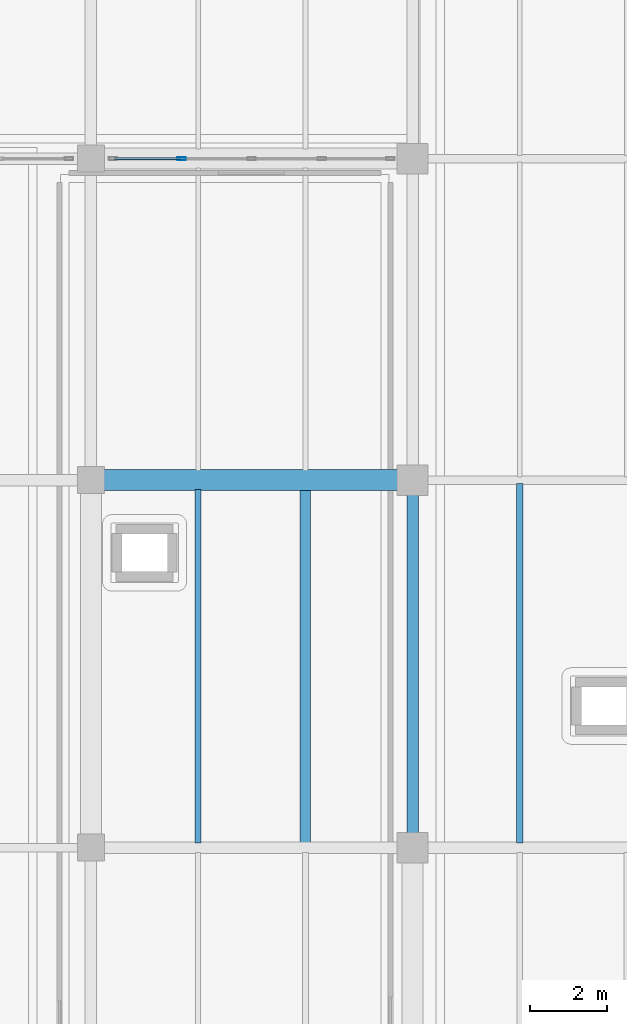
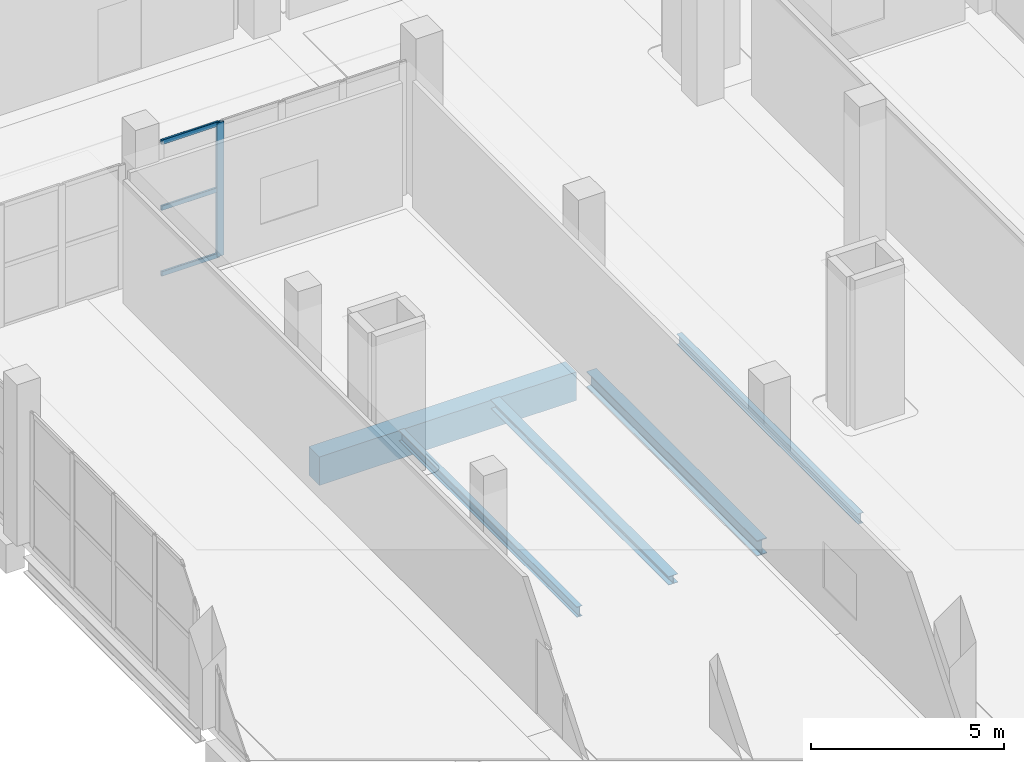
# One storey, part 32 of 73: 5 beams, 4 members, 1 element without a shape of its own.
"""IFC4 building model written with IfcOpenShell, lengths in metres."""

from ifc_helpers import new_model, si_unit, direction, frame, origin, origin_2d, place, context, subcontext, project, spatial, rectangle, hollow_rectangle, i_section, extrude, material, layer, layer_set, material_profile, profile_set, type_object, element, aggregate, save


model = new_model("IFC4")

# Units and contexts
model_context = context("Model", 3, precision=1e-05, world=origin(), true_north=direction((0.0, 1.0)))
body_context = subcontext(model_context, "Body", "Model", "MODEL_VIEW")
ifc_project = project(units=[si_unit("LENGTHUNIT", "METRE"), si_unit("AREAUNIT", "SQUARE_METRE"), si_unit("VOLUMEUNIT", "CUBIC_METRE"), si_unit("PLANEANGLEUNIT", "RADIAN"), si_unit("MASSUNIT", "GRAM", prefix="KILO")], contexts=[model_context])

# Site, building, storey
site_placement = place(None, origin())
site = spatial("IfcSite", under=ifc_project, at=site_placement, CompositionType="ELEMENT")
building_placement = place(site_placement, origin())
building = spatial("IfcBuilding", under=site, at=building_placement, Name="Zulmaris Art Gallery", CompositionType="ELEMENT")
storey_placement = place(building_placement, frame((0.0, 0.0, 10.5)))
storey = spatial("IfcBuildingStorey", under=building, at=storey_placement, Name="L02", CompositionType="ELEMENT", Elevation=10.5)

# Beams
ifc_material_1 = material(Name="Steel S355J2", Category="steel")
ifc_material_profile_1 = material_profile(ifc_material_1, i_section(OverallWidth=0.300048828125, OverallDepth=0.489990234375, WebThickness=0.011962890625, FlangeThickness=0.02294921875, FilletRadius=0.027099609375, at=origin_2d()), Name="HEA 500")
ifc_profile_set_1 = profile_set([ifc_material_profile_1], Name="Steel S355J2")
beam_type_1 = type_object("IfcBeamType", Name="BEAM-BM11", PredefinedType="BEAM", material=ifc_profile_set_1)
beam_1_placement = place(storey_placement, frame((141.60009765625, 41.18505859375, -0.64501953125), z_axis=(0.0, 1.0, 0.0), x_axis=(-1.0, 0.0, 0.0)))
element("IfcBeam", 1, at=beam_1_placement, inside=storey, type_object=beam_type_1, Name="L02 Y-girder (x=141.6, 40.8..50.4)", PredefinedType="BEAM", context=body_context, shape_type="SweptSolid", body=[
    extrude(i_section(OverallWidth=0.300048828125, OverallDepth=0.489990234375, WebThickness=0.011962890625, FlangeThickness=0.02294921875, FilletRadius=0.027099609375, at=origin_2d()), origin(), (0.0, 0.0, 1.0), 8.829833984375),
])
ifc_material_2 = material(Name="Concrete C40/50", Category="concrete")
ifc_material_profile_2 = material_profile(ifc_material_2, rectangle(XDim=0.550048828125, YDim=0.89990234375, at=origin_2d()), Name="RC 550x900")
ifc_profile_set_2 = profile_set([ifc_material_profile_2], Name="Concrete C40/50")
beam_type_2 = type_object("IfcBeamType", Name="BEAM-BM21", PredefinedType="BEAM", material=ifc_profile_set_2)
beam_2_placement = place(storey_placement, frame((133.534912109375, 50.39990234375, -0.85009765625), z_axis=(1.0, 0.0, 0.0), x_axis=(0.0, 1.0, 0.0)))
element("IfcBeam", 2, at=beam_2_placement, inside=storey, type_object=beam_type_2, Name="L02 X-girder (133.2..141.6, y=50.4)", PredefinedType="BEAM", context=body_context, shape_type="SweptSolid", body=[
    extrude(rectangle(XDim=0.550048828125, YDim=0.89990234375, at=origin_2d()), origin(), (0.0, 0.0, 1.0), 7.68017578125),
])
ifc_material_profile_3 = material_profile(ifc_material_1, i_section(OverallWidth=0.159912109375, OverallDepth=0.330078125, WebThickness=0.007568359375, FlangeThickness=0.011474609375, FilletRadius=0.01806640625, at=origin_2d()), Name="IPE 330")
ifc_profile_set_3 = profile_set([ifc_material_profile_3], Name="Steel S355J2")
beam_type_3 = type_object("IfcBeamType", Name="BEAM-JS03", PredefinedType="JOIST", material=ifc_profile_set_3)
beam_3_placement = place(storey_placement, frame((136.0, 40.925048828125, -0.56494140625), z_axis=(0.0, 1.0, 0.0), x_axis=(-1.0, 0.0, 0.0)))
element("IfcBeam", 3, at=beam_3_placement, inside=storey, type_object=beam_type_3, Name="L02 secondary joist at x=136.0", PredefinedType="JOIST", context=body_context, shape_type="SweptSolid", body=[
    extrude(i_section(OverallWidth=0.159912109375, OverallDepth=0.330078125, WebThickness=0.007568359375, FlangeThickness=0.011474609375, FilletRadius=0.01806640625, at=origin_2d()), origin(), (0.0, 0.0, 1.0), 9.224853515625),
])
beam_4_placement = place(storey_placement, frame((144.39990234375, 40.925048828125, -0.56494140625), z_axis=(0.0, 1.0, 0.0), x_axis=(-1.0, 0.0, 0.0)))
element("IfcBeam", 4, at=beam_4_placement, inside=storey, type_object=beam_type_3, Name="L02 secondary joist at x=144.4", PredefinedType="JOIST", context=body_context, shape_type="SweptSolid", body=[
    extrude(i_section(OverallWidth=0.159912109375, OverallDepth=0.330078125, WebThickness=0.007568359375, FlangeThickness=0.011474609375, FilletRadius=0.01806640625, at=origin_2d()), origin(), (0.0, 0.0, 1.0), 9.389892578125),
])
ifc_material_profile_4 = material_profile(ifc_material_1, i_section(OverallWidth=0.280029296875, OverallDepth=0.27001953125, WebThickness=0.008056640625, FlangeThickness=0.012939453125, FilletRadius=0.02392578125, at=origin_2d()), Name="HEA 280")
ifc_profile_set_4 = profile_set([ifc_material_profile_4], Name="Steel S355J2")
beam_type_4 = type_object("IfcBeamType", Name="BEAM-JS04", PredefinedType="JOIST", material=ifc_profile_set_4)
beam_5_placement = place(storey_placement, frame((138.800048828125, 40.925048828125, -0.534912109375), z_axis=(0.0, 1.0, 0.0), x_axis=(-1.0, 0.0, 0.0)))
element("IfcBeam", 5, at=beam_5_placement, inside=storey, type_object=beam_type_4, Name="L02 secondary joist at x=138.8", PredefinedType="JOIST", context=body_context, shape_type="SweptSolid", body=[
    extrude(i_section(OverallWidth=0.280029296875, OverallDepth=0.27001953125, WebThickness=0.008056640625, FlangeThickness=0.012939453125, FilletRadius=0.02392578125, at=origin_2d()), origin(), (0.0, 0.0, 1.0), 9.224853515625),
])

# Curtain wall, members
ifc_material_3 = material(Name="Unitised Low-E Gallery Curtain Wall", Category="aluminium")
ifc_layer = layer(ifc_material_3, 0.179931640625)
ifc_layer_set = layer_set([ifc_layer], Name="Unitised Low-E Gallery Curtain Wall")
curtain_wall_type = type_object("IfcCurtainWallType", Name="CW-CW01", PredefinedType="NOTDEFINED", material=ifc_layer_set)
curtain_wall_placement = place(storey_placement, origin())
curtain_wall = element("IfcCurtainWall", 6, at=curtain_wall_placement, inside=storey, type_object=curtain_wall_type, Name="L02 curtain wall 109", PredefinedType="NOTDEFINED")
ifc_material_4 = material(Name="Anodised Bronze Aluminium", Category="aluminium")
ifc_material_profile_5 = material_profile(ifc_material_4, hollow_rectangle(XDim=0.074951171875, YDim=0.219970703125, WallThickness=0.0048828125, InnerFilletRadius=0.007568359375, OuterFilletRadius=0.012451171875, at=origin_2d()), Name="ALU 75x220x5")
ifc_profile_set_5 = profile_set([ifc_material_profile_5], Name="Anodised Bronze Aluminium")
member_type_1 = type_object("IfcMemberType", Name="CWMUL-02", PredefinedType="MULLION", material=ifc_profile_set_5)
member_1_placement = place(storey_placement, frame((135.570068359375, 58.800048828125, 0.0), z_axis=(0.0, 0.0, 1.0), x_axis=(0.0, 1.0, 0.0)))
member_1 = element("IfcMember", 7, at=member_1_placement, type_object=member_type_1, Name="CW01 mullion 2", PredefinedType="MULLION", context=body_context, shape_type="SweptSolid", body=[
    extrude(hollow_rectangle(XDim=0.074951171875, YDim=0.219970703125, WallThickness=0.0048828125, InnerFilletRadius=0.007568359375, OuterFilletRadius=0.012451171875, at=origin_2d()), origin(), (0.0, 0.0, 1.0), 4.22998046875),
])
ifc_material_profile_6 = material_profile(ifc_material_4, hollow_rectangle(XDim=0.06494140625, YDim=0.14990234375, WallThickness=0.00390625, InnerFilletRadius=0.006103515625, OuterFilletRadius=0.010009765625, at=origin_2d()), Name="ALU 65x150x4")
ifc_profile_set_6 = profile_set([ifc_material_profile_6], Name="Anodised Bronze Aluminium")
member_type_2 = type_object("IfcMemberType", Name="CWTRN-01", PredefinedType="USERDEFINED", material=ifc_profile_set_6)
member_2_placement = place(storey_placement, frame((133.81494140625, 58.800048828125, 0.03759765625), z_axis=(1.0, 0.0, 0.0), x_axis=(0.0, 1.0, 0.0)))
member_2 = element("IfcMember", 8, at=member_2_placement, type_object=member_type_2, Name="CW01 transom 1.1", ObjectType="TRANSOM", PredefinedType="USERDEFINED", context=body_context, shape_type="SweptSolid", body=[
    extrude(hollow_rectangle(XDim=0.06494140625, YDim=0.14990234375, WallThickness=0.00390625, InnerFilletRadius=0.006103515625, OuterFilletRadius=0.010009765625, at=origin_2d()), origin(), (0.0, 0.0, 1.0), 1.717529296875),
])
member_3_placement = place(storey_placement, frame((133.81494140625, 58.800048828125, 2.114990234375), z_axis=(1.0, 0.0, 0.0), x_axis=(0.0, 1.0, 0.0)))
member_3 = element("IfcMember", 9, at=member_3_placement, type_object=member_type_2, Name="CW01 transom 1.2", ObjectType="TRANSOM", PredefinedType="USERDEFINED", context=body_context, shape_type="SweptSolid", body=[
    extrude(hollow_rectangle(XDim=0.06494140625, YDim=0.14990234375, WallThickness=0.00390625, InnerFilletRadius=0.006103515625, OuterFilletRadius=0.010009765625, at=origin_2d()), origin(), (0.0, 0.0, 1.0), 1.717529296875),
])
member_4_placement = place(storey_placement, frame((133.81494140625, 58.800048828125, 4.1923828125), z_axis=(1.0, 0.0, 0.0), x_axis=(0.0, 1.0, 0.0)))
member_4 = element("IfcMember", 10, at=member_4_placement, type_object=member_type_2, Name="CW01 transom 1.3", ObjectType="TRANSOM", PredefinedType="USERDEFINED", context=body_context, shape_type="SweptSolid", body=[
    extrude(hollow_rectangle(XDim=0.06494140625, YDim=0.14990234375, WallThickness=0.00390625, InnerFilletRadius=0.006103515625, OuterFilletRadius=0.010009765625, at=origin_2d()), origin(), (0.0, 0.0, 1.0), 1.717529296875),
])
aggregate(curtain_wall, [member_1, member_2, member_3, member_4])

save(model, "model.ifc")
